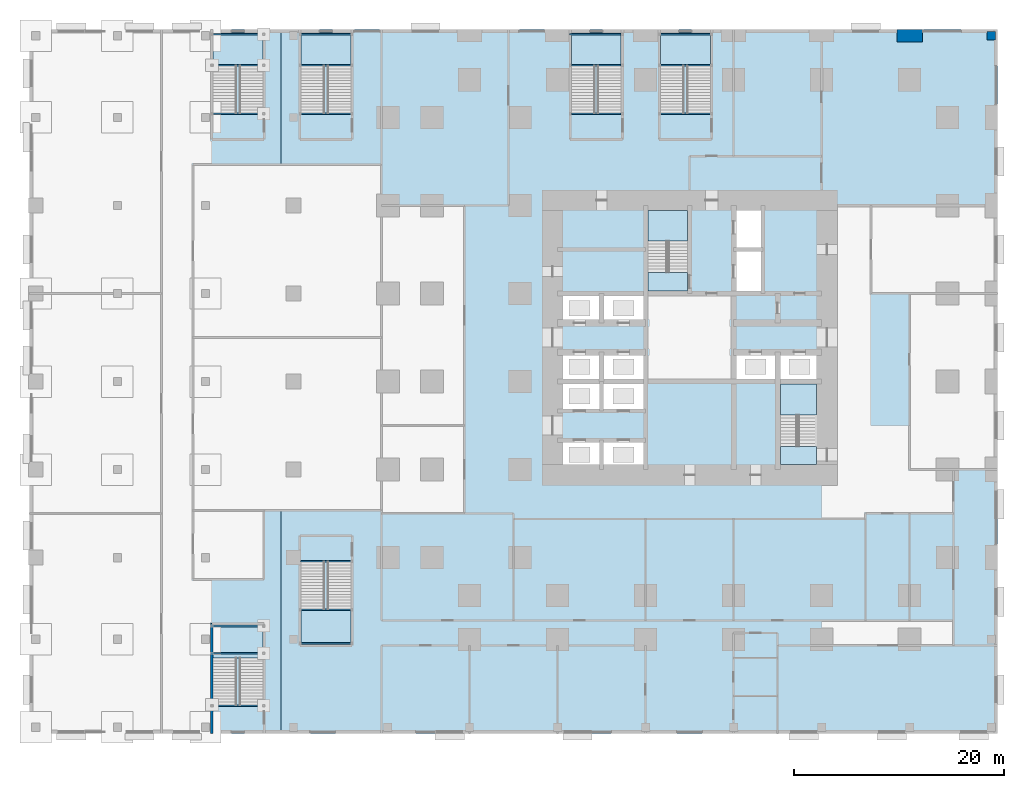
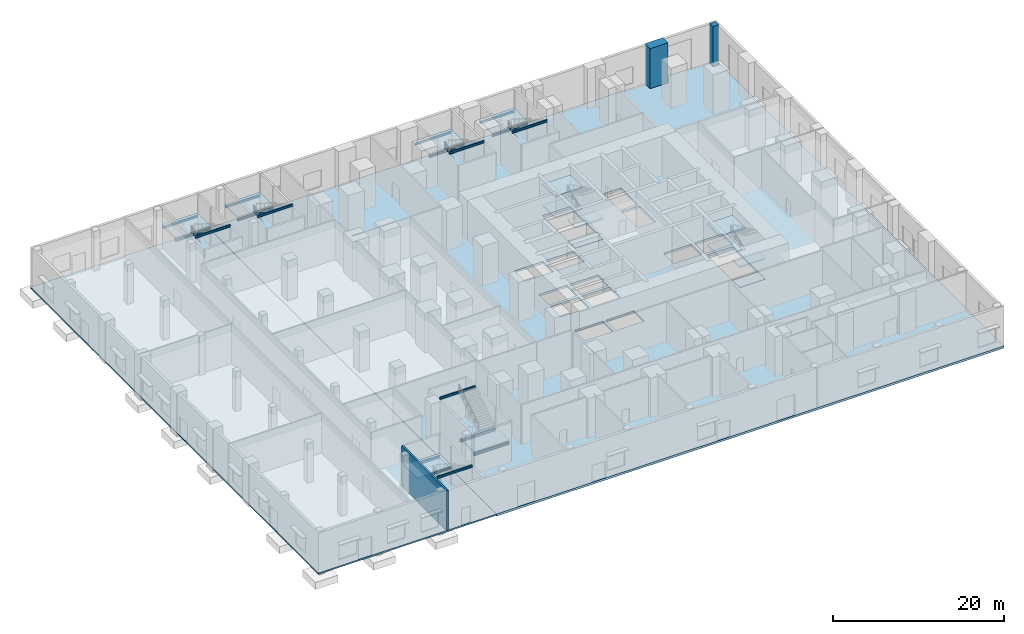
# One storey, part 14 of 26: 18 beams, 16 slabs, 2 columns, 1 wall, 8 elements without a shape of their own.
"""IFC4 building model written with IfcOpenShell, lengths in metres."""

from ifc_helpers import new_model, si_unit, direction, frame, frame_2d, origin, origin_2d, place, context, subcontext, project, spatial, polyline, rectangle, i_section, outline, extrude, material, layer, layer_set, material_profile, profile_set, type_object, element, aggregate, save


model = new_model("IFC4")

# Units and contexts
model_context = context("Model", 3, precision=1e-05, world=origin(), true_north=direction((0.0, 1.0)))
body_context = subcontext(model_context, "Body", "Model", "MODEL_VIEW")
ifc_project = project(units=[si_unit("LENGTHUNIT", "METRE"), si_unit("AREAUNIT", "SQUARE_METRE"), si_unit("VOLUMEUNIT", "CUBIC_METRE"), si_unit("PLANEANGLEUNIT", "RADIAN"), si_unit("MASSUNIT", "GRAM", prefix="KILO")], contexts=[model_context])

# Site, building, storey
site_placement = place(None, origin())
site = spatial("IfcSite", under=ifc_project, at=site_placement, CompositionType="ELEMENT")
building_placement = place(site_placement, origin())
building = spatial("IfcBuilding", under=site, at=building_placement, Name="Dunama Terrace Hotel", CompositionType="ELEMENT")
storey_placement = place(building_placement, origin())
storey = spatial("IfcBuildingStorey", under=building, at=storey_placement, Name="L00", CompositionType="ELEMENT", Elevation=0.0)

# Columns
ifc_material_1 = material(Name="Concrete C60/75", Category="concrete")
ifc_material_profile_1 = material_profile(ifc_material_1, rectangle(XDim=2.39990234375, YDim=1.199951171875, at=origin_2d()), Name="RC 2400x1200")
ifc_profile_set_1 = profile_set([ifc_material_profile_1], Name="Concrete C60/75")
column_type_1 = type_object("IfcColumnType", Name="Column RC 2400x1200", PredefinedType="COLUMN", material=ifc_profile_set_1)
column_1_placement = place(storey_placement, frame((50.39990234375, 58.199951171875, -0.300048828125), z_axis=(0.0, 0.0, 1.0), x_axis=(1.0, 0.0, 0.0)))
element("IfcColumn", 1, at=column_1_placement, inside=storey, type_object=column_type_1, Name="Column L00 +50.4/+58.2", PredefinedType="COLUMN", context=body_context, shape_type="SweptSolid", body=[
    extrude(rectangle(XDim=2.39990234375, YDim=1.199951171875, at=origin_2d()), origin(), (0.0, 0.0, 1.0), 6.0),
])
ifc_material_2 = material(Name="Concrete C40/50", Category="concrete")
ifc_material_profile_2 = material_profile(ifc_material_2, rectangle(XDim=0.800048828125, YDim=0.800048828125, at=origin_2d()), Name="RC 800x800")
ifc_profile_set_2 = profile_set([ifc_material_profile_2], Name="Concrete C40/50")
column_type_2 = type_object("IfcColumnType", Name="Column RC 800x800", PredefinedType="COLUMN", material=ifc_profile_set_2)
column_2_placement = place(storey_placement, frame((58.199951171875, 58.199951171875, -0.300048828125), z_axis=(0.0, 0.0, 1.0), x_axis=(1.0, 0.0, 0.0)))
element("IfcColumn", 2, at=column_2_placement, inside=storey, type_object=column_type_2, Name="Column L00 +58.2/+58.2", PredefinedType="COLUMN", context=body_context, shape_type="SweptSolid", body=[
    extrude(rectangle(XDim=0.800048828125, YDim=0.800048828125, at=origin_2d()), origin(), (0.0, 0.0, 1.0), 6.0),
])

# Beams
ifc_material_3 = material(Name="Steel S355", Category="steel")
ifc_material_profile_3 = material_profile(ifc_material_3, i_section(OverallWidth=0.1650390625, OverallDepth=0.303466796875, WebThickness=0.006103515625, FlangeThickness=0.01025390625, FilletRadius=0.0087890625, at=origin_2d()), Name="UB 305x165x40")
ifc_profile_set_3 = profile_set([ifc_material_profile_3], Name="Steel S355")
beam_type = type_object("IfcBeamType", Name="Stair beam UB 305x165x40", PredefinedType="BEAM", material=ifc_profile_set_3)
for number, where, z_axis, x_axis, name in (
    (3, (-16.074951171875, 50.742431640625, 5.848388671875), (1.0, 0.0, 0.0), (0.0, 1.0, 0.0), "Stair trimmer P1 at L01"),
    (4, (-16.074951171875, 55.387451171875, 2.598388671875), (1.0, 0.0, 0.0), (0.0, 1.0, 0.0), "Stair landing beam P1 L00 front"),
    (5, (-16.074951171875, 58.35009765625, 2.598388671875), (1.0, 0.0, 0.0), (0.0, 1.0, 0.0), "Stair landing beam P1 L00 far"),
    (6, (-16.074951171875, -5.732421875, 5.848388671875), (1.0, 0.0, 0.0), (0.0, 1.0, 0.0), "Stair trimmer P2 at L01"),
    (7, (-16.074951171875, -0.737548828125, 2.598388671875), (1.0, 0.0, 0.0), (0.0, 1.0, 0.0), "Stair landing beam P2 L00 front"),
    (8, (-16.074951171875, 1.875, 2.598388671875), (1.0, 0.0, 0.0), (0.0, 1.0, 0.0), "Stair landing beam P2 L00 far"),
    (9, (-7.675048828125, 50.742431640625, 5.848388671875), (1.0, 0.0, 0.0), (0.0, 1.0, 0.0), "Stair trimmer P3 at L01"),
    (10, (-7.675048828125, 55.387451171875, 2.598388671875), (1.0, 0.0, 0.0), (0.0, 1.0, 0.0), "Stair landing beam P3 L00 front"),
    (11, (-7.675048828125, 58.35009765625, 2.598388671875), (1.0, 0.0, 0.0), (0.0, 1.0, 0.0), "Stair landing beam P3 L00 far"),
):
    element("IfcBeam", number, at=place(storey_placement, frame(where, z_axis=z_axis, x_axis=x_axis)), inside=storey, type_object=beam_type, Name=name, PredefinedType="BEAM", context=body_context, shape_type="SweptSolid", body=[
        extrude(i_section(OverallWidth=0.1650390625, OverallDepth=0.303466796875, WebThickness=0.006103515625, FlangeThickness=0.01025390625, FilletRadius=0.0087890625, at=origin_2d()), origin(), (0.0, 0.0, 1.0), 4.75),
    ])
beam_1_placement = place(storey_placement, frame((-7.75, 8.0576171875, 5.848388671875), z_axis=(1.0, 0.0, 0.0), x_axis=(0.0, 1.0, 0.0)))
element("IfcBeam", 12, at=beam_1_placement, inside=storey, type_object=beam_type, Name="Stair trimmer P4 at L01", PredefinedType="BEAM", context=body_context, shape_type="SweptSolid", body=[
    extrude(i_section(OverallWidth=0.1650390625, OverallDepth=0.303466796875, WebThickness=0.006103515625, FlangeThickness=0.01025390625, FilletRadius=0.0087890625, at=origin_2d()), origin(), (0.0, 0.0, 1.0), 4.824951171875),
])
for number, where, z_axis, x_axis, name in (
    (13, (-7.675048828125, 3.41259765625, 2.598388671875), (1.0, 0.0, 0.0), (0.0, 1.0, 0.0), "Stair landing beam P4 L00 front"),
    (14, (-7.675048828125, 0.22509765625, 2.598388671875), (1.0, 0.0, 0.0), (0.0, 1.0, 0.0), "Stair landing beam P4 L00 far"),
    (15, (18.125, 50.742431640625, 5.848388671875), (1.0, 0.0, 0.0), (0.0, 1.0, 0.0), "Stair trimmer P5 at L01"),
    (16, (18.125, 55.387451171875, 2.598388671875), (1.0, 0.0, 0.0), (0.0, 1.0, 0.0), "Stair landing beam P5 L00 front"),
):
    element("IfcBeam", number, at=place(storey_placement, frame(where, z_axis=z_axis, x_axis=x_axis)), inside=storey, type_object=beam_type, Name=name, PredefinedType="BEAM", context=body_context, shape_type="SweptSolid", body=[
        extrude(i_section(OverallWidth=0.1650390625, OverallDepth=0.303466796875, WebThickness=0.006103515625, FlangeThickness=0.01025390625, FilletRadius=0.0087890625, at=origin_2d()), origin(), (0.0, 0.0, 1.0), 4.75),
    ])
beam_2_placement = place(storey_placement, frame((17.949951171875, 58.35009765625, 2.598388671875), z_axis=(1.0, 0.0, 0.0), x_axis=(0.0, 1.0, 0.0)))
element("IfcBeam", 17, at=beam_2_placement, inside=storey, type_object=beam_type, Name="Stair landing beam P5 L00 far", PredefinedType="BEAM", context=body_context, shape_type="SweptSolid", body=[
    extrude(i_section(OverallWidth=0.1650390625, OverallDepth=0.303466796875, WebThickness=0.006103515625, FlangeThickness=0.01025390625, FilletRadius=0.0087890625, at=origin_2d()), origin(), (0.0, 0.0, 1.0), 4.925048828125),
])
for number, where, z_axis, x_axis, name in (
    (18, (26.625, 50.742431640625, 5.848388671875), (1.0, 0.0, 0.0), (0.0, 1.0, 0.0), "Stair trimmer P6 at L01"),
    (19, (26.625, 55.387451171875, 2.598388671875), (1.0, 0.0, 0.0), (0.0, 1.0, 0.0), "Stair landing beam P6 L00 front"),
    (20, (26.625, 58.35009765625, 2.598388671875), (1.0, 0.0, 0.0), (0.0, 1.0, 0.0), "Stair landing beam P6 L00 far"),
):
    element("IfcBeam", number, at=place(storey_placement, frame(where, z_axis=z_axis, x_axis=x_axis)), inside=storey, type_object=beam_type, Name=name, PredefinedType="BEAM", context=body_context, shape_type="SweptSolid", body=[
        extrude(i_section(OverallWidth=0.1650390625, OverallDepth=0.303466796875, WebThickness=0.006103515625, FlangeThickness=0.01025390625, FilletRadius=0.0087890625, at=origin_2d()), origin(), (0.0, 0.0, 1.0), 4.75),
    ])

# Slabs
ifc_material_4 = material(Name="Concrete C40/50", Category="concrete")
ifc_layer_1 = layer(ifc_material_4, 0.199951171875)
ifc_layer_set_1 = layer_set([ifc_layer_1], Name="Ground slab 200")
slab_type_1 = type_object("IfcSlabType", Name="Ground slab 200", PredefinedType="BASESLAB", material=ifc_layer_set_1)
slab_1_placement = place(storey_placement, frame((0.0, 0.0, -0.199951171875)))
element("IfcSlab", 21, at=slab_1_placement, inside=storey, type_object=slab_type_1, Name="Slab on ground", PredefinedType="BASESLAB", context=body_context, shape_type="SweptSolid", body=[
    extrude(outline(polyline([(-33.60009765625, -8.39990234375), (-33.60009765625, 58.800048828125), (-9.60009765625, 58.800048828125), (-9.60009765625, -8.39990234375), (-33.60009765625, -8.39990234375)])), origin(), (0.0, 0.0, 1.0), 0.199951171875),
])
ifc_material_5 = material(Name="Concrete C40/50", Category="concrete")
ifc_layer_2 = layer(ifc_material_5, 0.300048828125)
ifc_layer_set_2 = layer_set([ifc_layer_2], Name="Podium slab 300")
slab_type_2 = type_object("IfcSlabType", Name="Podium slab 300", PredefinedType="FLOOR", material=ifc_layer_set_2)
slab_2_placement = place(storey_placement, frame((0.0, 0.0, -0.300048828125)))
element("IfcSlab", 22, at=slab_2_placement, inside=storey, type_object=slab_type_2, Name="Ground floor slab", PredefinedType="FLOOR", context=body_context, shape_type="SweptSolid", body=[
    extrude(outline(polyline([(-9.60009765625, -8.39990234375), (-9.60009765625, 58.800048828125), (58.800048828125, 58.800048828125), (58.800048828125, -8.39990234375), (-9.60009765625, -8.39990234375)]), holes=[polyline([(20.800048828125, 25.39990234375), (20.800048828125, 27.800048828125), (17.0, 27.800048828125), (17.0, 25.39990234375), (20.800048828125, 25.39990234375)]), polyline([(25.0, 25.39990234375), (25.0, 27.800048828125), (21.199951171875, 27.800048828125), (21.199951171875, 25.39990234375), (25.0, 25.39990234375)]), polyline([(20.800048828125, 31.0), (20.800048828125, 33.39990234375), (17.0, 33.39990234375), (17.0, 31.0), (20.800048828125, 31.0)]), polyline([(25.0, 31.0), (25.0, 33.39990234375), (21.199951171875, 33.39990234375), (21.199951171875, 31.0), (25.0, 31.0)]), polyline([(37.60009765625, 25.39990234375), (37.60009765625, 27.800048828125), (33.800048828125, 27.800048828125), (33.800048828125, 25.39990234375), (37.60009765625, 25.39990234375)]), polyline([(41.800048828125, 25.39990234375), (41.800048828125, 27.800048828125), (38.0, 27.800048828125), (38.0, 25.39990234375), (41.800048828125, 25.39990234375)]), polyline([(20.800048828125, 17.0), (20.800048828125, 19.39990234375), (17.0, 19.39990234375), (17.0, 17.0), (20.800048828125, 17.0)]), polyline([(25.0, 17.0), (25.0, 19.39990234375), (21.199951171875, 19.39990234375), (21.199951171875, 17.0), (25.0, 17.0)]), polyline([(20.800048828125, 22.60009765625), (20.800048828125, 25.0), (17.0, 25.0), (17.0, 22.60009765625), (20.800048828125, 22.60009765625)]), polyline([(25.0, 22.60009765625), (25.0, 25.0), (21.199951171875, 25.0), (21.199951171875, 22.60009765625), (25.0, 22.60009765625)]), polyline([(36.199951171875, 38.0), (36.199951171875, 41.800048828125), (33.800048828125, 41.800048828125), (33.800048828125, 38.0), (36.199951171875, 38.0)]), polyline([(36.199951171875, 33.800048828125), (36.199951171875, 37.60009765625), (33.800048828125, 37.60009765625), (33.800048828125, 33.800048828125), (36.199951171875, 33.800048828125)]), polyline([(29.175048828125, 33.824951171875), (29.175048828125, 41.5), (25.425048828125, 41.5), (25.425048828125, 33.824951171875), (29.175048828125, 33.824951171875)]), polyline([(41.5, 17.300048828125), (41.5, 24.97509765625), (38.050048828125, 24.97509765625), (38.050048828125, 17.300048828125), (41.5, 17.300048828125)])]), origin(), (0.0, 0.0, 1.0), 0.300048828125),
])

# Stair, slab
ifc_material_6 = material(Name="Concrete C40/50", Category="concrete")
stair_type_1 = type_object("IfcStairType", Name="Stair P1-6000-2250", PredefinedType="HALF_TURN_STAIR", material=ifc_material_6)
stair_1_placement = place(storey_placement, origin())
stair_1 = element("IfcStair", 23, at=stair_1_placement, inside=storey, type_object=stair_type_1, Name="Stair P1 L00", PredefinedType="HALF_TURN_STAIR")
ifc_material_7 = material(Name="Concrete C40/50", Category="concrete")
ifc_layer_3 = layer(ifc_material_7, 0.25)
ifc_layer_set_3 = layer_set([ifc_layer_3], Name="Podium stair landing 250")
slab_type_3 = type_object("IfcSlabType", Name="Podium stair landing 250", PredefinedType="LANDING", material=ifc_layer_set_3)
slab_3_placement = place(storey_placement, frame((0.0, 0.0, 2.75)))
slab_3 = element("IfcSlab", 24, at=slab_3_placement, type_object=slab_type_3, Name="P1 landing 1, type S11", PredefinedType="LANDING", context=body_context, shape_type="SweptSolid", body=[
    extrude(outline(polyline([(-16.074951171875, 55.304931640625), (-11.324951171875, 55.304931640625), (-11.324951171875, 58.449951171875), (-16.074951171875, 58.449951171875), (-16.074951171875, 55.304931640625)])), origin(), (0.0, 0.0, 1.0), 0.25),
])
aggregate(stair_1, [slab_3])

ifc_material_8 = material(Name="Concrete C40/50", Category="concrete")
stair_type_2 = type_object("IfcStairType", Name="Stair P2-6000-2250", PredefinedType="HALF_TURN_STAIR", material=ifc_material_8)
stair_2_placement = place(storey_placement, origin())
stair_2 = element("IfcStair", 25, at=stair_2_placement, inside=storey, type_object=stair_type_2, Name="Stair P2 L00", PredefinedType="HALF_TURN_STAIR")
slab_4_placement = place(storey_placement, frame((0.0, 0.0, 2.75)))
slab_4 = element("IfcSlab", 26, at=slab_4_placement, type_object=slab_type_3, Name="P2 landing 1, type S11", PredefinedType="LANDING", context=body_context, shape_type="SweptSolid", body=[
    extrude(outline(polyline([(-16.074951171875, -1.169921875), (-11.324951171875, -1.169921875), (-11.324951171875, 1.97509765625), (-16.074951171875, 1.97509765625), (-16.074951171875, -1.169921875)])), origin(), (0.0, 0.0, 1.0), 0.25),
])
aggregate(stair_2, [slab_4])

ifc_material_9 = material(Name="Concrete C40/50", Category="concrete")
stair_type_3 = type_object("IfcStairType", Name="Stair P3-6000-2250", PredefinedType="HALF_TURN_STAIR", material=ifc_material_9)
stair_3_placement = place(storey_placement, origin())
stair_3 = element("IfcStair", 27, at=stair_3_placement, inside=storey, type_object=stair_type_3, Name="Stair P3 L00", PredefinedType="HALF_TURN_STAIR")
slab_5_placement = place(storey_placement, frame((0.0, 0.0, 2.75)))
slab_5 = element("IfcSlab", 28, at=slab_5_placement, type_object=slab_type_3, Name="P3 landing 1, type S11", PredefinedType="LANDING", context=body_context, shape_type="SweptSolid", body=[
    extrude(outline(polyline([(-7.675048828125, 55.304931640625), (-2.925048828125, 55.304931640625), (-2.925048828125, 58.449951171875), (-7.675048828125, 58.449951171875), (-7.675048828125, 55.304931640625)])), origin(), (0.0, 0.0, 1.0), 0.25),
])
aggregate(stair_3, [slab_5])

ifc_material_10 = material(Name="Concrete C40/50", Category="concrete")
stair_type_4 = type_object("IfcStairType", Name="Stair P4-6000-2250", PredefinedType="HALF_TURN_STAIR", material=ifc_material_10)
stair_4_placement = place(storey_placement, origin())
stair_4 = element("IfcStair", 29, at=stair_4_placement, inside=storey, type_object=stair_type_4, Name="Stair P4 L00", PredefinedType="HALF_TURN_STAIR")
slab_6_placement = place(storey_placement, frame((0.0, 0.0, 2.75)))
slab_6 = element("IfcSlab", 30, at=slab_6_placement, type_object=slab_type_3, Name="P4 landing 1, type S11", PredefinedType="LANDING", context=body_context, shape_type="SweptSolid", body=[
    extrude(outline(polyline([(-7.675048828125, 0.125), (-2.925048828125, 0.125), (-2.925048828125, 3.4951171875), (-7.675048828125, 3.4951171875), (-7.675048828125, 0.125)])), origin(), (0.0, 0.0, 1.0), 0.25),
])
aggregate(stair_4, [slab_6])

ifc_material_11 = material(Name="Concrete C40/50", Category="concrete")
stair_type_5 = type_object("IfcStairType", Name="Stair P5-6000-2250", PredefinedType="HALF_TURN_STAIR", material=ifc_material_11)
stair_5_placement = place(storey_placement, origin())
stair_5 = element("IfcStair", 31, at=stair_5_placement, inside=storey, type_object=stair_type_5, Name="Stair P5 L00", PredefinedType="HALF_TURN_STAIR")
slab_7_placement = place(storey_placement, frame((0.0, 0.0, 2.75)))
slab_7 = element("IfcSlab", 32, at=slab_7_placement, type_object=slab_type_3, Name="P5 landing 1, type S11", PredefinedType="LANDING", context=body_context, shape_type="SweptSolid", body=[
    extrude(outline(polyline([(18.125, 55.304931640625), (22.875, 55.304931640625), (22.875, 58.449951171875), (18.125, 58.449951171875), (18.125, 55.304931640625)])), origin(), (0.0, 0.0, 1.0), 0.25),
])
aggregate(stair_5, [slab_7])

ifc_material_12 = material(Name="Concrete C40/50", Category="concrete")
stair_type_6 = type_object("IfcStairType", Name="Stair P6-6000-2250", PredefinedType="HALF_TURN_STAIR", material=ifc_material_12)
stair_6_placement = place(storey_placement, origin())
stair_6 = element("IfcStair", 33, at=stair_6_placement, inside=storey, type_object=stair_type_6, Name="Stair P6 L00", PredefinedType="HALF_TURN_STAIR")
slab_8_placement = place(storey_placement, frame((0.0, 0.0, 2.75)))
slab_8 = element("IfcSlab", 34, at=slab_8_placement, type_object=slab_type_3, Name="P6 landing 1, type S11", PredefinedType="LANDING", context=body_context, shape_type="SweptSolid", body=[
    extrude(outline(polyline([(26.625, 55.304931640625), (31.375, 55.304931640625), (31.375, 58.449951171875), (26.625, 58.449951171875), (26.625, 55.304931640625)])), origin(), (0.0, 0.0, 1.0), 0.25),
])
aggregate(stair_6, [slab_8])

# Stair, slabs
ifc_material_13 = material(Name="Concrete C40/50", Category="concrete")
stair_type_7 = type_object("IfcStairType", Name="Stair ST1-6000-1800", PredefinedType="HALF_TURN_STAIR", material=ifc_material_13)
stair_7_placement = place(storey_placement, origin())
stair_7 = element("IfcStair", 35, at=stair_7_placement, inside=storey, type_object=stair_type_7, Name="Stair ST1 L00", PredefinedType="HALF_TURN_STAIR")
ifc_material_14 = material(Name="Concrete C40/50", Category="concrete")
ifc_layer_4 = layer(ifc_material_14, 0.199951171875)
ifc_layer_set_4 = layer_set([ifc_layer_4], Name="Stair landing 200")
slab_type_4 = type_object("IfcSlabType", Name="Stair landing 200", PredefinedType="LANDING", material=ifc_layer_set_4)
slab_9_placement = place(storey_placement, frame((0.0, 0.0, -0.199951171875)))
slab_9 = element("IfcSlab", 36, at=slab_9_placement, type_object=slab_type_4, Name="ST1 landing 1, type S10", PredefinedType="LANDING", context=body_context, shape_type="SweptSolid", body=[
    extrude(outline(polyline([(25.425048828125, 33.824951171875), (29.175048828125, 33.824951171875), (29.175048828125, 35.625), (25.425048828125, 35.625), (25.425048828125, 33.824951171875)])), origin(), (0.0, 0.0, 1.0), 0.199951171875),
])
slab_10_placement = place(storey_placement, frame((0.0, 0.0, 1.300048828125)))
slab_10 = element("IfcSlab", 37, at=slab_10_placement, type_object=slab_type_4, Name="ST1 landing 2, type S10", PredefinedType="LANDING", context=body_context, shape_type="SweptSolid", body=[
    extrude(outline(polyline([(25.425048828125, 38.625), (29.175048828125, 38.625), (29.175048828125, 41.5), (25.425048828125, 41.5), (25.425048828125, 38.625)])), origin(), (0.0, 0.0, 1.0), 0.199951171875),
])
slab_11_placement = place(storey_placement, frame((0.0, 0.0, 2.800048828125)))
slab_11 = element("IfcSlab", 38, at=slab_11_placement, type_object=slab_type_4, Name="ST1 landing 3, type S10", PredefinedType="LANDING", context=body_context, shape_type="SweptSolid", body=[
    extrude(outline(polyline([(25.425048828125, 33.824951171875), (29.175048828125, 33.824951171875), (29.175048828125, 35.625), (25.425048828125, 35.625), (25.425048828125, 33.824951171875)])), origin(), (0.0, 0.0, 1.0), 0.199951171875),
])
slab_12_placement = place(storey_placement, frame((0.0, 0.0, 4.300048828125)))
slab_12 = element("IfcSlab", 39, at=slab_12_placement, type_object=slab_type_4, Name="ST1 landing 4, type S10", PredefinedType="LANDING", context=body_context, shape_type="SweptSolid", body=[
    extrude(outline(polyline([(25.425048828125, 38.625), (29.175048828125, 38.625), (29.175048828125, 41.5), (25.425048828125, 41.5), (25.425048828125, 38.625)])), origin(), (0.0, 0.0, 1.0), 0.199951171875),
])
aggregate(stair_7, [slab_9, slab_10, slab_11, slab_12])

ifc_material_15 = material(Name="Concrete C40/50", Category="concrete")
stair_type_8 = type_object("IfcStairType", Name="Stair ST2-6000-1600", PredefinedType="HALF_TURN_STAIR", material=ifc_material_15)
stair_8_placement = place(storey_placement, origin())
stair_8 = element("IfcStair", 40, at=stair_8_placement, inside=storey, type_object=stair_type_8, Name="Stair ST2 L00", PredefinedType="HALF_TURN_STAIR")
slab_13_placement = place(storey_placement, frame((0.0, 0.0, -0.199951171875)))
slab_13 = element("IfcSlab", 41, at=slab_13_placement, type_object=slab_type_4, Name="ST2 landing 1, type S10", PredefinedType="LANDING", context=body_context, shape_type="SweptSolid", body=[
    extrude(outline(polyline([(38.050048828125, 17.300048828125), (41.5, 17.300048828125), (41.5, 19.0), (38.050048828125, 19.0), (38.050048828125, 17.300048828125)])), origin(), (0.0, 0.0, 1.0), 0.199951171875),
])
slab_14_placement = place(storey_placement, frame((0.0, 0.0, 1.300048828125)))
slab_14 = element("IfcSlab", 42, at=slab_14_placement, type_object=slab_type_4, Name="ST2 landing 2, type S10", PredefinedType="LANDING", context=body_context, shape_type="SweptSolid", body=[
    extrude(outline(polyline([(38.050048828125, 22.0), (41.5, 22.0), (41.5, 24.97509765625), (38.050048828125, 24.97509765625), (38.050048828125, 22.0)])), origin(), (0.0, 0.0, 1.0), 0.199951171875),
])
slab_15_placement = place(storey_placement, frame((0.0, 0.0, 2.800048828125)))
slab_15 = element("IfcSlab", 43, at=slab_15_placement, type_object=slab_type_4, Name="ST2 landing 3, type S10", PredefinedType="LANDING", context=body_context, shape_type="SweptSolid", body=[
    extrude(outline(polyline([(38.050048828125, 17.300048828125), (41.5, 17.300048828125), (41.5, 19.0), (38.050048828125, 19.0), (38.050048828125, 17.300048828125)])), origin(), (0.0, 0.0, 1.0), 0.199951171875),
])
slab_16_placement = place(storey_placement, frame((0.0, 0.0, 4.300048828125)))
slab_16 = element("IfcSlab", 44, at=slab_16_placement, type_object=slab_type_4, Name="ST2 landing 4, type S10", PredefinedType="LANDING", context=body_context, shape_type="SweptSolid", body=[
    extrude(outline(polyline([(38.050048828125, 22.0), (41.5, 22.0), (41.5, 24.97509765625), (38.050048828125, 24.97509765625), (38.050048828125, 22.0)])), origin(), (0.0, 0.0, 1.0), 0.199951171875),
])
aggregate(stair_8, [slab_13, slab_14, slab_15, slab_16])

# Wall
ifc_material_16 = material(Name="Concrete blockwork", Category="masonry")
ifc_layer_5 = layer(ifc_material_16, 0.25)
ifc_layer_set_5 = layer_set([ifc_layer_5], Name="Stair enclosure wall 250")
wall_type = type_object("IfcWallType", Name="Stair enclosure wall 250", PredefinedType="PARTITIONING", material=ifc_layer_set_5)
wall_placement = place(storey_placement, frame((-16.199951171875, -8.39990234375, 0.0), z_axis=(0.0, 0.0, 1.0), x_axis=(0.0, 1.0, 0.0)))
element("IfcWall", 45, at=wall_placement, inside=storey, type_object=wall_type, Name="Stair enclosure wall 250 L00", PredefinedType="PARTITIONING", context=body_context, shape_type="SweptSolid", body=[
    extrude(rectangle(XDim=10.5, YDim=0.25, at=frame_2d((5.25, 0.0))), origin(), (0.0, 0.0, 1.0), 5.699951171875),
])

save(model, "model.ifc")
